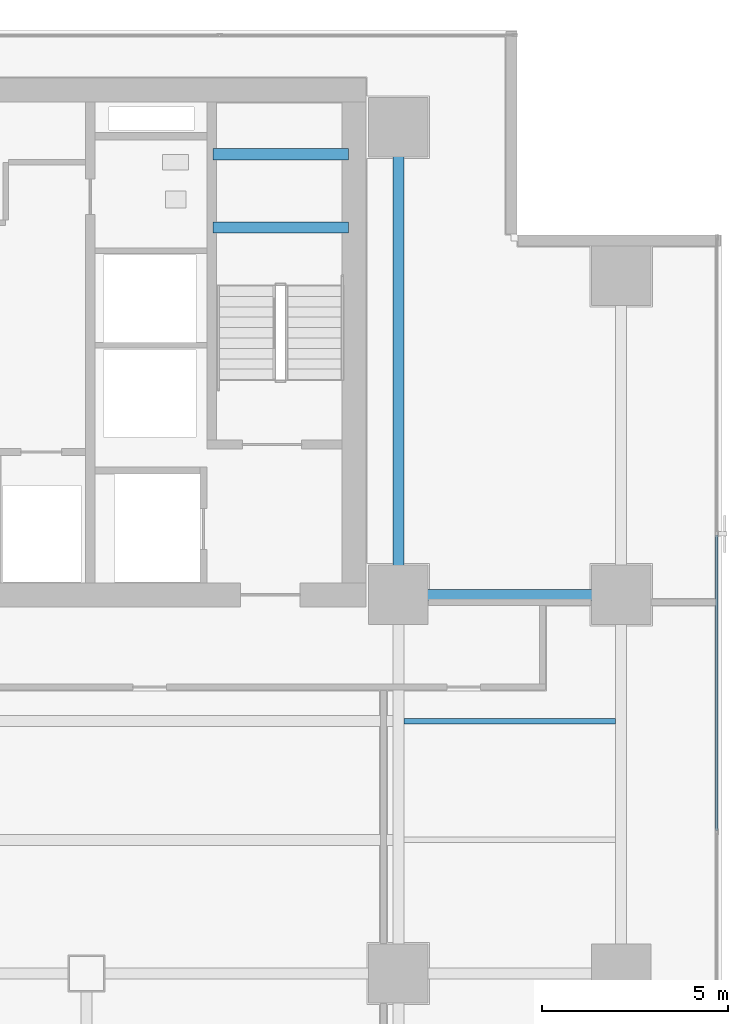
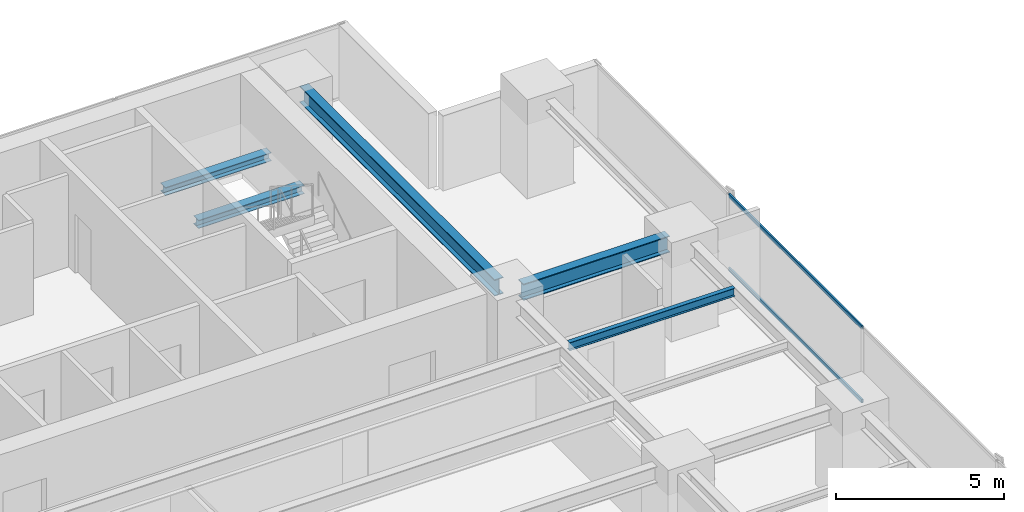
# One storey, part 22 of 35: 5 beams, 2 members, 1 element without a shape of its own.
"""IFC4 building model written with IfcOpenShell, lengths in metres."""

from ifc_helpers import new_model, si_unit, direction, frame, origin, origin_2d, place, context, subcontext, project, spatial, hollow_rectangle, i_section, extrude, source, transform, mapped, material, layer, layer_set, material_profile, profile_set, type_object, element, aggregate, save


model = new_model("IFC4")

# Units and contexts
model_context = context("Model", 3, precision=1e-05, world=origin(), true_north=direction((0.0, 1.0)))
body_context = subcontext(model_context, "Body", "Model", "MODEL_VIEW")
ifc_project = project(units=[si_unit("LENGTHUNIT", "METRE"), si_unit("AREAUNIT", "SQUARE_METRE"), si_unit("VOLUMEUNIT", "CUBIC_METRE"), si_unit("PLANEANGLEUNIT", "RADIAN"), si_unit("MASSUNIT", "GRAM", prefix="KILO")], contexts=[model_context])

# Site, building, storey
site_placement = place(None, origin())
site = spatial("IfcSite", under=ifc_project, at=site_placement, CompositionType="ELEMENT")
building_placement = place(site_placement, origin())
building = spatial("IfcBuilding", under=site, at=building_placement, Name="Sumidabori Civic Tower", CompositionType="ELEMENT")
storey_placement = place(building_placement, frame((0.0, 0.0, 102.800048828125)))
storey = spatial("IfcBuildingStorey", under=building, at=storey_placement, Name="L26", CompositionType="ELEMENT", Elevation=102.800048828125)

# Beams
ifc_material_1 = material(Name="Steel SN490", Category="steel")
ifc_material_profile_1 = material_profile(ifc_material_1, i_section(OverallWidth=0.300048828125, OverallDepth=0.300048828125, WebThickness=0.010986328125, FlangeThickness=0.01904296875, at=origin_2d()), Name="HE 300 B")
ifc_profile_set_1 = profile_set([ifc_material_profile_1], Name="Steel SN490")
beam_type_1 = type_object("IfcBeamType", Name="BM-LDG-300", PredefinedType="BEAM", material=ifc_profile_set_1)
shared_shape_1 = source(origin(), body_context, "Body", "SweptSolid", [
    extrude(i_section(OverallWidth=0.300048828125, OverallDepth=0.300048828125, WebThickness=0.010986328125, FlangeThickness=0.01904296875, at=origin_2d()), origin(), (0.0, 0.0, 1.0), 3.64990234375),
])
for number, where, z_axis, x_axis, name in (
    (1, (11.800048828125, 20.09765625, 1.449951171875), (1.0, 0.0, 0.0), (0.0, 1.0, 0.0), "Stair ST-2 Landing Support Beam L26-1A"),
    (2, (11.800048828125, 22.069580078125, 1.449951171875), (1.0, 0.0, 0.0), (0.0, 1.0, 0.0), "Stair ST-2 Landing Trimmer Beam L26-1B"),
):
    element("IfcBeam", number, at=place(storey_placement, frame(where, z_axis=z_axis, x_axis=x_axis)), inside=storey, type_object=beam_type_1, Name=name, PredefinedType="BEAM", context=body_context, shape_type="MappedRepresentation", body=[
        mapped(shared_shape_1, transform((0.0, 0.0, 0.0), x_axis=(1.0, 0.0, 0.0), y_axis=(0.0, 1.0, 0.0), z_axis=(0.0, 0.0, 1.0), scale=1.0)),
    ])
ifc_material_profile_2 = material_profile(ifc_material_1, i_section(OverallWidth=0.300048828125, OverallDepth=0.60009765625, WebThickness=0.015380859375, FlangeThickness=0.030029296875, at=origin_2d()), Name="HE 600 B")
ifc_profile_set_2 = profile_set([ifc_material_profile_2], Name="Steel SN490")
beam_type_2 = type_object("IfcBeamType", Name="BM-GIRD-600", PredefinedType="BEAM", material=ifc_profile_set_2)
shared_shape_2 = source(origin(), body_context, "Body", "SweptSolid", [
    extrude(i_section(OverallWidth=0.300048828125, OverallDepth=0.60009765625, WebThickness=0.015380859375, FlangeThickness=0.030029296875, at=origin_2d()), origin(), (0.0, 0.0, 1.0), 5.0400390625),
])
beam_1_placement = place(storey_placement, frame((17.280029296875, 10.199951171875, 3.06005859375), z_axis=(1.0, 0.0, 0.0), x_axis=(0.0, 1.0, 0.0)))
element("IfcBeam", 3, at=beam_1_placement, inside=storey, type_object=beam_type_2, Name="Primary Girder L26 GX-20", PredefinedType="BEAM", context=body_context, shape_type="MappedRepresentation", body=[
    mapped(shared_shape_2, transform((0.0, 0.0, 0.0), x_axis=(1.0, 0.0, 0.0), y_axis=(0.0, 1.0, 0.0), z_axis=(0.0, 0.0, 1.0), scale=1.0)),
])
shared_shape_3 = source(origin(), body_context, "Body", "SweptSolid", [
    extrude(i_section(OverallWidth=0.300048828125, OverallDepth=0.60009765625, WebThickness=0.015380859375, FlangeThickness=0.030029296875, at=origin_2d()), origin(), (0.0, 0.0, 1.0), 11.64013671875),
])
beam_2_placement = place(storey_placement, frame((16.800048828125, 10.679931640625, 3.06005859375), z_axis=(0.0, 1.0, 0.0), x_axis=(-1.0, 0.0, 0.0)))
element("IfcBeam", 4, at=beam_2_placement, inside=storey, type_object=beam_type_2, Name="Primary Girder L26 GY-38", PredefinedType="BEAM", context=body_context, shape_type="MappedRepresentation", body=[
    mapped(shared_shape_3, transform((0.0, 0.0, 0.0), x_axis=(1.0, 0.0, 0.0), y_axis=(0.0, 1.0, 0.0), z_axis=(0.0, 0.0, 1.0), scale=1.0)),
])
ifc_material_profile_3 = material_profile(ifc_material_1, i_section(OverallWidth=0.14990234375, OverallDepth=0.300048828125, WebThickness=0.007080078125, FlangeThickness=0.0107421875, at=origin_2d()), Name="IPE 300")
ifc_profile_set_3 = profile_set([ifc_material_profile_3], Name="Steel SN490")
beam_type_3 = type_object("IfcBeamType", Name="BM-JST-300", PredefinedType="JOIST", material=ifc_profile_set_3)
shared_shape_4 = source(origin(), body_context, "Body", "SweptSolid", [
    extrude(i_section(OverallWidth=0.14990234375, OverallDepth=0.300048828125, WebThickness=0.007080078125, FlangeThickness=0.0107421875, at=origin_2d()), origin(), (0.0, 0.0, 1.0), 5.699951171875),
])
beam_3_placement = place(storey_placement, frame((16.949951171875, 6.800048828125, 3.2099609375), z_axis=(1.0, 0.0, 0.0), x_axis=(0.0, 1.0, 0.0)))
element("IfcBeam", 5, at=beam_3_placement, inside=storey, type_object=beam_type_3, Name="Outer Bay Floor Joist L26 JSTO-50", PredefinedType="JOIST", context=body_context, shape_type="MappedRepresentation", body=[
    mapped(shared_shape_4, transform((0.0, 0.0, 0.0), x_axis=(1.0, 0.0, 0.0), y_axis=(0.0, 1.0, 0.0), z_axis=(0.0, 0.0, 1.0), scale=1.0)),
])

# Curtain wall, members
ifc_material_2 = material(Name="Anodised Bronze Aluminium AW-6063-T6", Category="aluminium")
ifc_layer = layer(ifc_material_2, 0.179931640625, Name="Anodised Bronze Aluminium AW-6063-T6")
ifc_layer_set = layer_set([ifc_layer], Name="Anodised Bronze Aluminium AW-6063-T6")
curtain_wall_type = type_object("IfcCurtainWallType", Name="CW-SYS-3", PredefinedType="NOTDEFINED", material=ifc_layer_set)
curtain_wall_placement = place(storey_placement, origin())
curtain_wall = element("IfcCurtainWall", 6, at=curtain_wall_placement, inside=storey, type_object=curtain_wall_type, Name="Curtain Wall CW:L26:R04", PredefinedType="NOTDEFINED")
ifc_material_profile_4 = material_profile(ifc_material_2, hollow_rectangle(XDim=0.06005859375, YDim=0.1298828125, WallThickness=0.0048828125, at=origin_2d()), Name="ALU TRANSOM 130x60")
ifc_profile_set_4 = profile_set([ifc_material_profile_4], Name="Anodised Bronze Aluminium AW-6063-T6")
member_type = type_object("IfcMemberType", Name="CW-TRN-130", PredefinedType="USERDEFINED", material=ifc_profile_set_4)
shared_shape_5 = source(origin(), body_context, "Body", "SweptSolid", [
    extrude(hollow_rectangle(XDim=0.06005859375, YDim=0.1298828125, WallThickness=0.0048828125, at=origin_2d()), origin(), (0.0, 0.0, 1.0), 7.963134765625),
])
member_1_placement = place(storey_placement, frame((25.3798828125, 3.846435546875, 0.030029296875), z_axis=(0.0, 1.0, 0.0), x_axis=(-1.0, 0.0, 0.0)))
member_1 = element("IfcMember", 7, at=member_1_placement, type_object=member_type, Name="CW-3 transom 4.1", ObjectType="TRANSOM", PredefinedType="USERDEFINED", context=body_context, shape_type="MappedRepresentation", body=[
    mapped(shared_shape_5, transform((0.0, 0.0, 0.0), x_axis=(1.0, 0.0, 0.0), y_axis=(0.0, 1.0, 0.0), z_axis=(0.0, 0.0, 1.0), scale=1.0)),
])
member_2_placement = place(storey_placement, frame((25.3798828125, 3.846435546875, 2.7099609375), z_axis=(0.0, 1.0, 0.0), x_axis=(-1.0, 0.0, 0.0)))
member_2 = element("IfcMember", 8, at=member_2_placement, type_object=member_type, Name="CW-3 transom 4.2", ObjectType="TRANSOM", PredefinedType="USERDEFINED", context=body_context, shape_type="MappedRepresentation", body=[
    mapped(shared_shape_5, transform((0.0, 0.0, 0.0), x_axis=(1.0, 0.0, 0.0), y_axis=(0.0, 1.0, 0.0), z_axis=(0.0, 0.0, 1.0), scale=1.0)),
])
aggregate(curtain_wall, [member_1, member_2])

save(model, "model.ifc")
